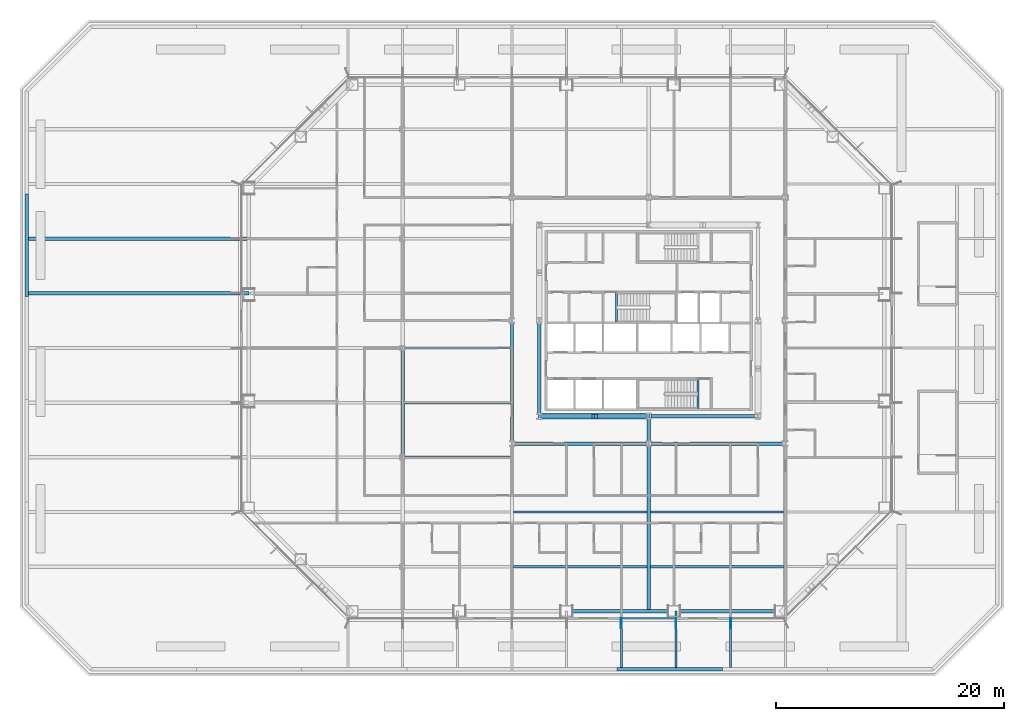
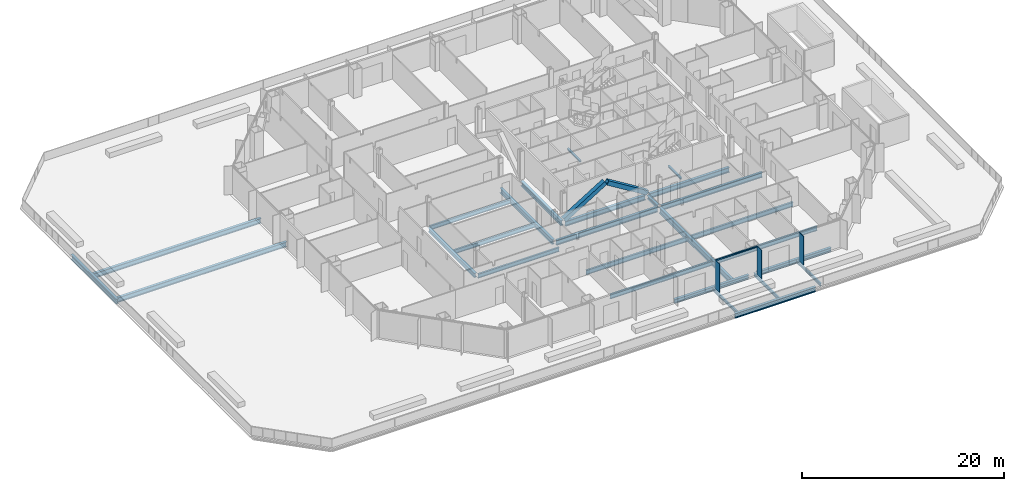
# One storey, part 3 of 18: 27 beams, 6 members, 1 element without a shape of its own.
"""IFC4 building model written with IfcOpenShell, lengths in metres."""

from ifc_helpers import new_model, si_unit, direction, frame, origin, origin_2d, place, context, subcontext, project, spatial, rectangle, hollow_rectangle, i_section, extrude, material, material_profile, profile_set, type_object, element, aggregate, save


model = new_model("IFC4")

# Units and contexts
model_context = context("Model", 3, precision=1e-05, world=origin(), true_north=direction((0.0, 1.0)))
body_context = subcontext(model_context, "Body", "Model", "MODEL_VIEW")
ifc_project = project(units=[si_unit("LENGTHUNIT", "METRE"), si_unit("AREAUNIT", "SQUARE_METRE"), si_unit("VOLUMEUNIT", "CUBIC_METRE"), si_unit("PLANEANGLEUNIT", "RADIAN"), si_unit("MASSUNIT", "GRAM", prefix="KILO")], contexts=[model_context])

# Site, building, storey
site_placement = place(None, origin())
site = spatial("IfcSite", under=ifc_project, at=site_placement, CompositionType="ELEMENT")
building_placement = place(site_placement, origin())
building = spatial("IfcBuilding", under=site, at=building_placement, Name="Cairn Pilgrim Tower", CompositionType="ELEMENT")
storey_placement = place(building_placement, frame((0.0, 0.0, 40.199951171875)))
storey = spatial("IfcBuildingStorey", under=building, at=storey_placement, Name="L07", CompositionType="ELEMENT", Elevation=40.199951171875)

# Members
ifc_material_1 = material(Name="Structural steel S460M", Category="steel")
ifc_material_profile_1 = material_profile(ifc_material_1, hollow_rectangle(XDim=0.5, YDim=0.5, WallThickness=0.030029296875, at=origin_2d()), Name="BOX 500x500x30")
ifc_profile_set_1 = profile_set([ifc_material_profile_1], Name="Structural steel S460M")
member_type_1 = type_object("IfcMemberType", Name="BOX 500x500x30 BRACE", PredefinedType="BRACE", material=ifc_profile_set_1)
member_1_placement = place(storey_placement, frame((-2.3544921875, -6.0, 0.10009765625), z_axis=(0.850904896844, 0.0, 0.525319765978), x_axis=(0.0, 1.0, 0.0)))
element("IfcMember", 1, at=member_1_placement, inside=storey, type_object=member_type_1, Name="KB-1A", PredefinedType="BRACE", context=body_context, shape_type="SweptSolid", body=[
    extrude(hollow_rectangle(XDim=0.5, YDim=0.5, WallThickness=0.030029296875, at=origin_2d()), origin(), (0.0, 0.0, 1.0), 5.52490234375),
])
member_2_placement = place(storey_placement, frame((7.154541015625, -6.0, 0.10009765625), z_axis=(-0.850919818074, 0.0, 0.52529559603), x_axis=(0.0, -1.0, 0.0)))
element("IfcMember", 2, at=member_2_placement, inside=storey, type_object=member_type_1, Name="KB-1B", PredefinedType="BRACE", context=body_context, shape_type="SweptSolid", body=[
    extrude(hollow_rectangle(XDim=0.5, YDim=0.5, WallThickness=0.030029296875, at=origin_2d()), origin(), (0.0, 0.0, 1.0), 5.375),
])

# Curtain wall, members
ifc_material_2 = material(Name="Aluminium alloy 6063-T6 bronze anodised with Bronze tinted laminated low-E glass 8+16+8.8", Category="aluminium")
curtain_wall_type = type_object("IfcCurtainWallType", Name="TOWER STICK CURTAIN WALL NS", PredefinedType="NOTDEFINED", material=ifc_material_2)
curtain_wall_placement = place(storey_placement, origin())
curtain_wall = element("IfcCurtainWall", 3, at=curtain_wall_placement, inside=storey, type_object=curtain_wall_type, Name="Tower Stick Curtain Wall Ns S", PredefinedType="NOTDEFINED")
ifc_material_3 = material(Name="Aluminium alloy 6063-T6 bronze anodised", Category="aluminium")
ifc_material_profile_2 = material_profile(ifc_material_3, rectangle(XDim=0.89990234375, YDim=0.06005859375, at=origin_2d()), Name="FIN MULLION 60x900 BRONZE")
ifc_profile_set_2 = profile_set([ifc_material_profile_2], Name="Aluminium alloy 6063-T6 bronze anodised")
member_type_2 = type_object("IfcMemberType", Name="FIN MULLION 60x900 BRONZE", PredefinedType="MULLION", material=ifc_profile_set_2)
member_3_placement = place(storey_placement, frame((4.800048828125, -24.169921875, 0.0), z_axis=(0.0, 0.0, 1.0), x_axis=(0.0, -1.0, 0.0)))
member_3 = element("IfcMember", 4, at=member_3_placement, type_object=member_type_2, Name="Fin mullion S6", PredefinedType="MULLION", context=body_context, shape_type="SweptSolid", body=[
    extrude(rectangle(XDim=0.89990234375, YDim=0.06005859375, at=origin_2d()), origin(), (0.0, 0.0, 1.0), 3.449951171875),
])
member_4_placement = place(storey_placement, frame((9.60009765625, -24.169921875, 0.0), z_axis=(0.0, 0.0, 1.0), x_axis=(0.0, -1.0, 0.0)))
member_4 = element("IfcMember", 5, at=member_4_placement, type_object=member_type_2, Name="Fin mullion S7", PredefinedType="MULLION", context=body_context, shape_type="SweptSolid", body=[
    extrude(rectangle(XDim=0.89990234375, YDim=0.06005859375, at=origin_2d()), origin(), (0.0, 0.0, 1.0), 3.449951171875),
])
member_5_placement = place(storey_placement, frame((14.39990234375, -24.169921875, 0.0), z_axis=(0.0, 0.0, 1.0), x_axis=(0.0, -1.0, 0.0)))
member_5 = element("IfcMember", 6, at=member_5_placement, type_object=member_type_2, Name="Fin mullion S8", PredefinedType="MULLION", context=body_context, shape_type="SweptSolid", body=[
    extrude(rectangle(XDim=0.89990234375, YDim=0.06005859375, at=origin_2d()), origin(), (0.0, 0.0, 1.0), 3.449951171875),
])

# Beams
ifc_material_4 = material(Name="Structural steel S355J2", Category="steel")
ifc_material_profile_3 = material_profile(ifc_material_4, i_section(OverallWidth=0.300048828125, OverallDepth=0.39990234375, WebThickness=0.013427734375, FlangeThickness=0.02392578125, FilletRadius=0.027099609375, at=origin_2d()), Name="HEB 400")
ifc_profile_set_3 = profile_set([ifc_material_profile_3], Name="Structural steel S355J2")
beam_type_1 = type_object("IfcBeamType", Name="HEB 400 GIRDER", PredefinedType="BEAM", material=ifc_profile_set_3)
beam_1_placement = place(storey_placement, frame((7.199951171875, -8.18798828125, -0.349853515625), z_axis=(0.0, 1.0, 0.0), x_axis=(-1.0, 0.0, 0.0)))
element("IfcBeam", 7, at=beam_1_placement, inside=storey, type_object=beam_type_1, Name="PG3-E1", PredefinedType="BEAM", context=body_context, shape_type="SweptSolid", body=[
    extrude(i_section(OverallWidth=0.300048828125, OverallDepth=0.39990234375, WebThickness=0.013427734375, FlangeThickness=0.02392578125, FilletRadius=0.027099609375, at=origin_2d()), origin(), (0.0, 0.0, 1.0), 1.9609375),
])
ifc_material_profile_4 = material_profile(ifc_material_4, i_section(OverallWidth=0.300048828125, OverallDepth=0.5, WebThickness=0.014404296875, FlangeThickness=0.028076171875, FilletRadius=0.027099609375, at=origin_2d()), Name="HEB 500")
ifc_profile_set_4 = profile_set([ifc_material_profile_4], Name="Structural steel S355J2")
beam_type_2 = type_object("IfcBeamType", Name="HEB 500 GIRDER", PredefinedType="BEAM", material=ifc_profile_set_4)
beam_2_placement = place(storey_placement, frame((-14.39990234375, -9.3955078125, -0.39990234375), z_axis=(0.0, 1.0, 0.0), x_axis=(-1.0, 0.0, 0.0)))
element("IfcBeam", 8, at=beam_2_placement, inside=storey, type_object=beam_type_2, Name="PG1-3", PredefinedType="BEAM", context=body_context, shape_type="SweptSolid", body=[
    extrude(i_section(OverallWidth=0.300048828125, OverallDepth=0.5, WebThickness=0.014404296875, FlangeThickness=0.028076171875, FilletRadius=0.027099609375, at=origin_2d()), origin(), (0.0, 0.0, 1.0), 9.19091796875),
])
ifc_material_profile_5 = material_profile(ifc_material_4, i_section(OverallWidth=0.300048828125, OverallDepth=0.5, WebThickness=0.014404296875, FlangeThickness=0.028076171875, FilletRadius=0.027099609375, at=origin_2d()), Name="HEB 500")
ifc_profile_set_5 = profile_set([ifc_material_profile_5], Name="Structural steel S355J2")
beam_type_3 = type_object("IfcBeamType", Name="HEB 500 RING GIRDER", PredefinedType="SPANDREL", material=ifc_profile_set_5)
for number, where, z_axis, x_axis, name in (
    (9, (0.449951171875, -23.10009765625, -0.39990234375), (1.0, 0.0, 0.0), (0.0, 1.0, 0.0), "RG1-S3-S4"),
    (10, (9.863525390625, -23.10009765625, -0.39990234375), (1.0, 0.0, 0.0), (0.0, 1.0, 0.0), "RG1-S4-SE1"),
):
    element("IfcBeam", number, at=place(storey_placement, frame(where, z_axis=z_axis, x_axis=x_axis)), inside=storey, type_object=beam_type_3, Name=name, PredefinedType="SPANDREL", context=body_context, shape_type="SweptSolid", body=[
        extrude(i_section(OverallWidth=0.300048828125, OverallDepth=0.5, WebThickness=0.014404296875, FlangeThickness=0.028076171875, FilletRadius=0.027099609375, at=origin_2d()), origin(), (0.0, 0.0, 1.0), 8.513671875),
    ])
ifc_material_profile_6 = material_profile(ifc_material_4, i_section(OverallWidth=0.300048828125, OverallDepth=0.60009765625, WebThickness=0.015380859375, FlangeThickness=0.030029296875, FilletRadius=0.027099609375, at=origin_2d()), Name="HEB 600")
ifc_profile_set_6 = profile_set([ifc_material_profile_6], Name="Structural steel S355J2")
beam_type_4 = type_object("IfcBeamType", Name="HEB 600 CORE BEAM", PredefinedType="BEAM", material=ifc_profile_set_6)
for number, where, z_axis, x_axis, name in (
    (11, (-2.19580078125, -6.0, -0.449951171875), (1.0, 0.0, 0.0), (0.0, 1.0, 0.0), "CB-1"),
    (12, (7.404296875, -6.0, -0.449951171875), (1.0, 0.0, 0.0), (0.0, 1.0, 0.0), "CB-2"),
):
    element("IfcBeam", number, at=place(storey_placement, frame(where, z_axis=z_axis, x_axis=x_axis)), inside=storey, type_object=beam_type_4, Name=name, PredefinedType="BEAM", context=body_context, shape_type="SweptSolid", body=[
        extrude(i_section(OverallWidth=0.300048828125, OverallDepth=0.60009765625, WebThickness=0.015380859375, FlangeThickness=0.030029296875, FilletRadius=0.027099609375, at=origin_2d()), origin(), (0.0, 0.0, 1.0), 9.19140625),
    ])
beam_3_placement = place(storey_placement, frame((-2.39990234375, 2.19580078125, -0.449951171875), z_axis=(0.0, -1.0, 0.0), x_axis=(1.0, 0.0, 0.0)))
element("IfcBeam", 13, at=beam_3_placement, inside=storey, type_object=beam_type_4, Name="CB-8", PredefinedType="BEAM", context=body_context, shape_type="SweptSolid", body=[
    extrude(i_section(OverallWidth=0.300048828125, OverallDepth=0.60009765625, WebThickness=0.015380859375, FlangeThickness=0.030029296875, FilletRadius=0.027099609375, at=origin_2d()), origin(), (0.0, 0.0, 1.0), 7.991455078125),
])
ifc_material_profile_7 = material_profile(ifc_material_4, i_section(OverallWidth=0.300048828125, OverallDepth=0.60009765625, WebThickness=0.015380859375, FlangeThickness=0.030029296875, FilletRadius=0.027099609375, at=origin_2d()), Name="HEB 600")
ifc_profile_set_7 = profile_set([ifc_material_profile_7], Name="Structural steel S355J2")
beam_type_5 = type_object("IfcBeamType", Name="HEB 600 GIRDER", PredefinedType="BEAM", material=ifc_profile_set_7)
beam_4_placement = place(storey_placement, frame((-4.800048828125, -8.18798828125, -0.449951171875), z_axis=(0.0, 1.0, 0.0), x_axis=(-1.0, 0.0, 0.0)))
element("IfcBeam", 14, at=beam_4_placement, inside=storey, type_object=beam_type_5, Name="PG2-2", PredefinedType="BEAM", context=body_context, shape_type="SweptSolid", body=[
    extrude(i_section(OverallWidth=0.300048828125, OverallDepth=0.60009765625, WebThickness=0.015380859375, FlangeThickness=0.030029296875, FilletRadius=0.027099609375, at=origin_2d()), origin(), (0.0, 0.0, 1.0), 10.3759765625),
])
ifc_material_profile_8 = material_profile(ifc_material_4, i_section(OverallWidth=0.300048828125, OverallDepth=0.60009765625, WebThickness=0.015380859375, FlangeThickness=0.030029296875, FilletRadius=0.027099609375, at=origin_2d()), Name="HEB 600")
ifc_profile_set_8 = profile_set([ifc_material_profile_8], Name="Structural steel S355J2")
beam_type_6 = type_object("IfcBeamType", Name="HEB 600 INNER GIRDER", PredefinedType="BEAM", material=ifc_profile_set_8)
for number, where, z_axis, x_axis, name in (
    (15, (-4.587890625, -8.39990234375, -0.449951171875), (1.0, 0.0, 0.0), (0.0, 1.0, 0.0), "IG1-1"),
    (16, (7.412109375, -8.39990234375, -0.449951171875), (1.0, 0.0, 0.0), (0.0, 1.0, 0.0), "IG1-2"),
):
    element("IfcBeam", number, at=place(storey_placement, frame(where, z_axis=z_axis, x_axis=x_axis)), inside=storey, type_object=beam_type_6, Name=name, PredefinedType="BEAM", context=body_context, shape_type="SweptSolid", body=[
        extrude(i_section(OverallWidth=0.300048828125, OverallDepth=0.60009765625, WebThickness=0.015380859375, FlangeThickness=0.030029296875, FilletRadius=0.027099609375, at=origin_2d()), origin(), (0.0, 0.0, 1.0), 11.575927734375),
    ])
ifc_material_profile_9 = material_profile(ifc_material_4, i_section(OverallWidth=0.300048828125, OverallDepth=0.699951171875, WebThickness=0.01708984375, FlangeThickness=0.031982421875, FilletRadius=0.027099609375, at=origin_2d()), Name="HEB 700")
ifc_profile_set_9 = profile_set([ifc_material_profile_9], Name="Structural steel S355J2")
beam_type_7 = type_object("IfcBeamType", Name="HEB 700 GIRDER", PredefinedType="BEAM", material=ifc_profile_set_9)
beam_5_placement = place(storey_placement, frame((7.199951171875, -22.97998046875, -0.5), z_axis=(0.0, 1.0, 0.0), x_axis=(-1.0, 0.0, 0.0)))
element("IfcBeam", 17, at=beam_5_placement, inside=storey, type_object=beam_type_7, Name="PG3-1", PredefinedType="BEAM", context=body_context, shape_type="SweptSolid", body=[
    extrude(i_section(OverallWidth=0.300048828125, OverallDepth=0.699951171875, WebThickness=0.01708984375, FlangeThickness=0.031982421875, FilletRadius=0.027099609375, at=origin_2d()), origin(), (0.0, 0.0, 1.0), 14.367919921875),
])
ifc_material_profile_10 = material_profile(ifc_material_4, i_section(OverallWidth=0.199951171875, OverallDepth=0.5, WebThickness=0.01025390625, FlangeThickness=0.01611328125, FilletRadius=0.02099609375, at=origin_2d()), Name="IPE 500")
ifc_profile_set_10 = profile_set([ifc_material_profile_10], Name="Structural steel S355J2")
beam_type_8 = type_object("IfcBeamType", Name="IPE 500 SECONDARY BEAM", PredefinedType="JOIST", material=ifc_profile_set_10)
for number, where, z_axis, x_axis, name in (
    (18, (-14.25, -9.60009765625, -0.39990234375), (1.0, 0.0, 0.0), (0.0, 1.0, 0.0), "SB3-2"),
    (19, (-14.25, -4.800048828125, -0.39990234375), (1.0, 0.0, 0.0), (0.0, 1.0, 0.0), "SB4-2"),
    (20, (-14.25, 0.0, -0.39990234375), (1.0, 0.0, 0.0), (0.0, 1.0, 0.0), "SB5-2"),
):
    element("IfcBeam", number, at=place(storey_placement, frame(where, z_axis=z_axis, x_axis=x_axis)), inside=storey, type_object=beam_type_8, Name=name, PredefinedType="JOIST", context=body_context, shape_type="SweptSolid", body=[
        extrude(i_section(OverallWidth=0.199951171875, OverallDepth=0.5, WebThickness=0.01025390625, FlangeThickness=0.01611328125, FilletRadius=0.02099609375, at=origin_2d()), origin(), (0.0, 0.0, 1.0), 9.300048828125),
    ])
ifc_material_profile_11 = material_profile(ifc_material_4, i_section(OverallWidth=0.2099609375, OverallDepth=0.550048828125, WebThickness=0.010986328125, FlangeThickness=0.01708984375, FilletRadius=0.02392578125, at=origin_2d()), Name="IPE 550")
ifc_profile_set_11 = profile_set([ifc_material_profile_11], Name="Structural steel S355J2")
beam_type_9 = type_object("IfcBeamType", Name="IPE 550 SECONDARY BEAM", PredefinedType="JOIST", material=ifc_profile_set_11)
for number, where, z_axis, x_axis, name in (
    (21, (-4.64990234375, -19.199951171875, -0.425048828125), (1.0, 0.0, 0.0), (0.0, 1.0, 0.0), "SB1-3"),
    (22, (7.35009765625, -19.199951171875, -0.425048828125), (1.0, 0.0, 0.0), (0.0, 1.0, 0.0), "SB1-4"),
    (23, (-4.64990234375, -14.39990234375, -0.425048828125), (1.0, 0.0, 0.0), (0.0, 1.0, 0.0), "SB2-3"),
    (24, (7.35009765625, -14.39990234375, -0.425048828125), (1.0, 0.0, 0.0), (0.0, 1.0, 0.0), "SB2-4"),
):
    element("IfcBeam", number, at=place(storey_placement, frame(where, z_axis=z_axis, x_axis=x_axis)), inside=storey, type_object=beam_type_9, Name=name, PredefinedType="JOIST", context=body_context, shape_type="SweptSolid", body=[
        extrude(i_section(OverallWidth=0.2099609375, OverallDepth=0.550048828125, WebThickness=0.010986328125, FlangeThickness=0.01708984375, FilletRadius=0.02392578125, at=origin_2d()), origin(), (0.0, 0.0, 1.0), 11.699951171875),
    ])
ifc_material_profile_12 = material_profile(ifc_material_4, i_section(OverallWidth=0.300048828125, OverallDepth=0.60009765625, WebThickness=0.015380859375, FlangeThickness=0.030029296875, FilletRadius=0.027099609375, at=origin_2d()), Name="HEB 600")
ifc_profile_set_12 = profile_set([ifc_material_profile_12], Name="Structural steel S355J2")
beam_type_10 = type_object("IfcBeamType", Name="PODIUM BEAM HE 600 B", PredefinedType="BEAM", material=ifc_profile_set_12)
beam_6_placement = place(storey_placement, frame((-47.39990234375, 4.800048828125, -0.449951171875), z_axis=(1.0, 0.0, 0.0), x_axis=(0.0, 1.0, 0.0)))
element("IfcBeam", 25, at=beam_6_placement, inside=storey, type_object=beam_type_10, Name="PODIUM BEAM PB-HE600B", PredefinedType="BEAM", context=body_context, shape_type="SweptSolid", body=[
    extrude(i_section(OverallWidth=0.300048828125, OverallDepth=0.60009765625, WebThickness=0.015380859375, FlangeThickness=0.030029296875, FilletRadius=0.027099609375, at=origin_2d()), origin(), (0.0, 0.0, 1.0), 19.5),
])
beam_7_placement = place(storey_placement, frame((-47.248046875, 9.60009765625, -0.449951171875), z_axis=(1.0, 0.0, 0.0), x_axis=(0.0, 1.0, 0.0)))
element("IfcBeam", 26, at=beam_7_placement, inside=storey, type_object=beam_type_10, Name="PODIUM BEAM PB-HE600B", PredefinedType="BEAM", context=body_context, shape_type="SweptSolid", body=[
    extrude(i_section(OverallWidth=0.300048828125, OverallDepth=0.60009765625, WebThickness=0.015380859375, FlangeThickness=0.030029296875, FilletRadius=0.027099609375, at=origin_2d()), origin(), (0.0, 0.0, 1.0), 19.196044921875),
])
ifc_material_profile_13 = material_profile(ifc_material_4, i_section(OverallWidth=0.169921875, OverallDepth=0.360107421875, WebThickness=0.008056640625, FlangeThickness=0.0126953125, FilletRadius=0.01806640625, at=origin_2d()), Name="IPE 360")
ifc_profile_set_13 = profile_set([ifc_material_profile_13], Name="Structural steel S355J2")
beam_type_11 = type_object("IfcBeamType", Name="PODIUM BEAM IPE 360", PredefinedType="BEAM", material=ifc_profile_set_13)
beam_8_placement = place(storey_placement, frame((4.800048828125, -28.048095703125, -0.329833984375), z_axis=(0.0, 1.0, 0.0), x_axis=(-1.0, 0.0, 0.0)))
element("IfcBeam", 27, at=beam_8_placement, inside=storey, type_object=beam_type_11, Name="PODIUM BEAM PB-IPE360", PredefinedType="BEAM", context=body_context, shape_type="SweptSolid", body=[
    extrude(i_section(OverallWidth=0.169921875, OverallDepth=0.360107421875, WebThickness=0.008056640625, FlangeThickness=0.0126953125, FilletRadius=0.01806640625, at=origin_2d()), origin(), (0.0, 0.0, 1.0), 4.796142578125),
])
beam_9_placement = place(storey_placement, frame((9.60009765625, -28.048095703125, -0.329833984375), z_axis=(0.0, 1.0, 0.0), x_axis=(-1.0, 0.0, 0.0)))
element("IfcBeam", 28, at=beam_9_placement, inside=storey, type_object=beam_type_11, Name="PODIUM BEAM PB-IPE360", PredefinedType="BEAM", context=body_context, shape_type="SweptSolid", body=[
    extrude(i_section(OverallWidth=0.169921875, OverallDepth=0.360107421875, WebThickness=0.008056640625, FlangeThickness=0.0126953125, FilletRadius=0.01806640625, at=origin_2d()), origin(), (0.0, 0.0, 1.0), 4.947998046875),
])
beam_10_placement = place(storey_placement, frame((14.39990234375, -28.048095703125, -0.329833984375), z_axis=(0.0, 1.0, 0.0), x_axis=(-1.0, 0.0, 0.0)))
element("IfcBeam", 29, at=beam_10_placement, inside=storey, type_object=beam_type_11, Name="PODIUM BEAM PB-IPE360", PredefinedType="BEAM", context=body_context, shape_type="SweptSolid", body=[
    extrude(i_section(OverallWidth=0.169921875, OverallDepth=0.360107421875, WebThickness=0.008056640625, FlangeThickness=0.0126953125, FilletRadius=0.01806640625, at=origin_2d()), origin(), (0.0, 0.0, 1.0), 4.796142578125),
])
ifc_material_profile_14 = material_profile(ifc_material_4, i_section(OverallWidth=0.300048828125, OverallDepth=0.60009765625, WebThickness=0.015380859375, FlangeThickness=0.030029296875, FilletRadius=0.027099609375, at=origin_2d()), Name="HEB 600")
ifc_profile_set_14 = profile_set([ifc_material_profile_14], Name="Structural steel S355J2")
beam_type_12 = type_object("IfcBeamType", Name="PODIUM EDGE GIRDER HE 600 B", PredefinedType="BEAM", material=ifc_profile_set_14)
beam_11_placement = place(storey_placement, frame((4.43798828125, -28.199951171875, -0.449951171875), z_axis=(1.0, 0.0, 0.0), x_axis=(0.0, 1.0, 0.0)))
element("IfcBeam", 30, at=beam_11_placement, inside=storey, type_object=beam_type_12, Name="PODIUM EDGE GIRDER PE-HE600B", PredefinedType="BEAM", context=body_context, shape_type="SweptSolid", body=[
    extrude(i_section(OverallWidth=0.300048828125, OverallDepth=0.60009765625, WebThickness=0.015380859375, FlangeThickness=0.030029296875, FilletRadius=0.027099609375, at=origin_2d()), origin(), (0.0, 0.0, 1.0), 9.23779296875),
])
beam_12_placement = place(storey_placement, frame((-47.39990234375, 13.531005859375, -0.449951171875), z_axis=(0.0, -1.0, 0.0), x_axis=(1.0, 0.0, 0.0)))
element("IfcBeam", 31, at=beam_12_placement, inside=storey, type_object=beam_type_12, Name="PODIUM EDGE GIRDER PE-HE600B", PredefinedType="BEAM", context=body_context, shape_type="SweptSolid", body=[
    extrude(i_section(OverallWidth=0.300048828125, OverallDepth=0.60009765625, WebThickness=0.015380859375, FlangeThickness=0.030029296875, FilletRadius=0.027099609375, at=origin_2d()), origin(), (0.0, 0.0, 1.0), 9.020751953125),
])
ifc_material_profile_15 = material_profile(ifc_material_4, i_section(OverallWidth=0.199951171875, OverallDepth=0.199951171875, WebThickness=0.009033203125, FlangeThickness=0.014892578125, FilletRadius=0.01806640625, at=origin_2d()), Name="HE 200 B")
ifc_profile_set_15 = profile_set([ifc_material_profile_15], Name="Structural steel S355J2")
beam_type_13 = type_object("IfcBeamType", Name="STAIR LANDING BEAM HE 200 B", PredefinedType="BEAM", material=ifc_profile_set_15)
beam_13_placement = place(storey_placement, frame((11.5244140625, -2.77490234375, -0.25), z_axis=(0.0, -1.0, 0.0), x_axis=(1.0, 0.0, 0.0)))
element("IfcBeam", 32, at=beam_13_placement, inside=storey, type_object=beam_type_13, Name="STAIR LANDING BEAM LD-HE200B", PredefinedType="BEAM", context=body_context, shape_type="SweptSolid", body=[
    extrude(i_section(OverallWidth=0.199951171875, OverallDepth=0.199951171875, WebThickness=0.009033203125, FlangeThickness=0.014892578125, FilletRadius=0.01806640625, at=origin_2d()), origin(), (0.0, 0.0, 1.0), 2.525146484375),
])
beam_14_placement = place(storey_placement, frame((4.37548828125, 2.27490234375, -0.25), z_axis=(0.0, 1.0, 0.0), x_axis=(-1.0, 0.0, 0.0)))
element("IfcBeam", 33, at=beam_14_placement, inside=storey, type_object=beam_type_13, Name="STAIR LANDING BEAM LD-HE200B", PredefinedType="BEAM", context=body_context, shape_type="SweptSolid", body=[
    extrude(i_section(OverallWidth=0.199951171875, OverallDepth=0.199951171875, WebThickness=0.009033203125, FlangeThickness=0.014892578125, FilletRadius=0.01806640625, at=origin_2d()), origin(), (0.0, 0.0, 1.0), 2.550048828125),
])

# Member
ifc_material_profile_16 = material_profile(ifc_material_3, rectangle(XDim=0.080078125, YDim=0.14990234375, at=origin_2d()), Name="TRANSOM 80x150 BRONZE")
ifc_profile_set_16 = profile_set([ifc_material_profile_16], Name="Aluminium alloy 6063-T6 bronze anodised")
member_type_3 = type_object("IfcMemberType", Name="TRANSOM 80x150 BRONZE", PredefinedType="USERDEFINED", material=ifc_profile_set_16)
member_6_placement = place(storey_placement, frame((4.830078125, -23.75, 3.375), z_axis=(1.0, 0.0, 0.0), x_axis=(0.0, 1.0, 0.0)))
member_6 = element("IfcMember", 34, at=member_6_placement, type_object=member_type_3, Name="Transom S6", ObjectType="TRANSOM", PredefinedType="USERDEFINED", context=body_context, shape_type="SweptSolid", body=[
    extrude(rectangle(XDim=0.080078125, YDim=0.14990234375, at=origin_2d()), origin(), (0.0, 0.0, 1.0), 4.739990234375),
])

aggregate(curtain_wall, [member_3, member_4, member_5, member_6])

save(model, "model.ifc")
